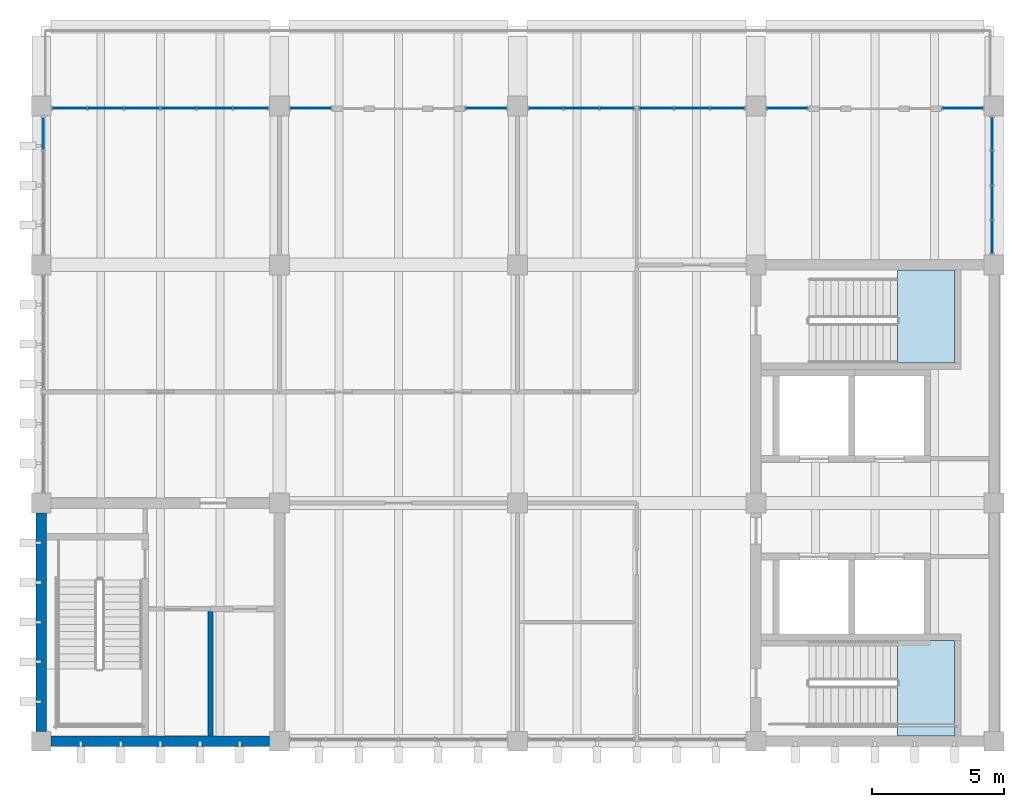
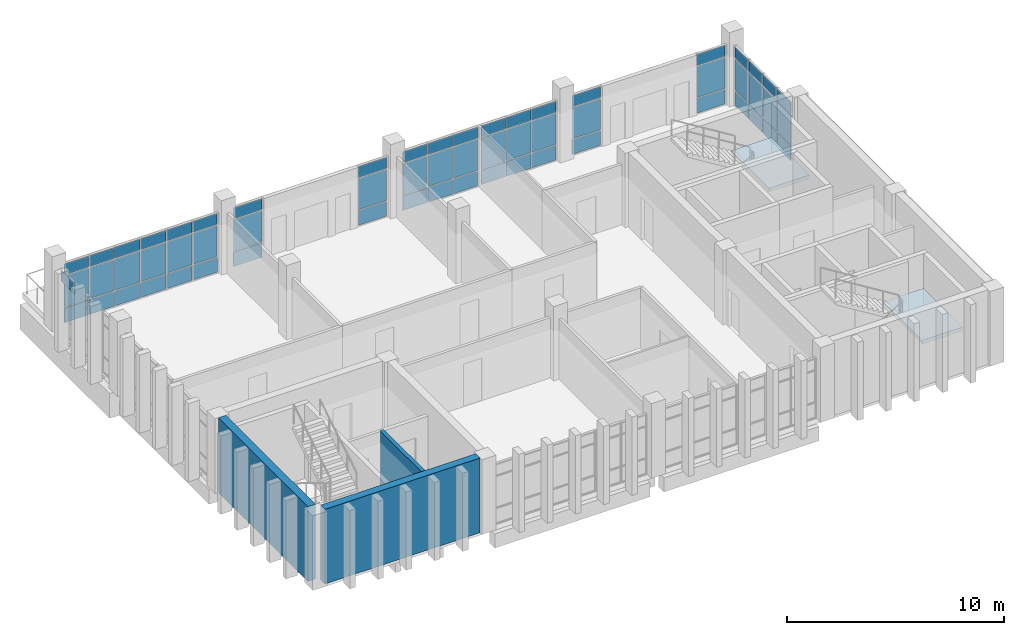
# One storey, part 8 of 15: 61 plates, 3 walls, 2 slabs, 11 elements without a shape of their own.
"""IFC4 building model written with IfcOpenShell, lengths in metres."""

from ifc_helpers import new_model, si_unit, direction, frame, frame_2d, origin, origin_2d, place, context, subcontext, project, spatial, polyline, rectangle, outline, extrude, material, layer, layer_set, type_object, element, aggregate, save


model = new_model("IFC4")

# Units and contexts
model_context = context("Model", 3, precision=1e-05, world=origin(), true_north=direction((0.0, 1.0)))
body_context = subcontext(model_context, "Body", "Model", "MODEL_VIEW")
ifc_project = project(units=[si_unit("LENGTHUNIT", "METRE"), si_unit("AREAUNIT", "SQUARE_METRE"), si_unit("VOLUMEUNIT", "CUBIC_METRE"), si_unit("PLANEANGLEUNIT", "RADIAN"), si_unit("MASSUNIT", "GRAM", prefix="KILO")], contexts=[model_context])

# Site, building, storey
site_placement = place(None, origin())
site = spatial("IfcSite", under=ifc_project, at=site_placement, CompositionType="ELEMENT")
building_placement = place(site_placement, origin())
building = spatial("IfcBuilding", under=site, at=building_placement, Name="Merrow Basin Faculty of Sciences", CompositionType="ELEMENT")
storey_placement = place(building_placement, frame((0.0, 0.0, 31.5)))
storey = spatial("IfcBuildingStorey", under=building, at=storey_placement, Name="L07", CompositionType="ELEMENT", Elevation=31.5)

# Curtain wall, plates
ifc_material_1 = material(Name="Aluminium alloy 6063", Category="aluminium")
curtain_wall_type = type_object("IfcCurtainWallType", Name="Unitised curtain wall 160", PredefinedType="NOTDEFINED", material=ifc_material_1)
curtain_wall_1_placement = place(storey_placement, origin())
curtain_wall_1 = element("IfcCurtainWall", 1, at=curtain_wall_1_placement, inside=storey, type_object=curtain_wall_type, Name="N curtain wall L07 1", PredefinedType="NOTDEFINED")
ifc_material_2 = material(Name="Insulated aluminium spandrel panel", Category="aluminium")
ifc_layer_1 = layer(ifc_material_2, 0.052001953125)
ifc_layer_set_1 = layer_set([ifc_layer_1], Name="Insulated spandrel panel 52")
plate_type_1 = type_object("IfcPlateType", Name="Insulated spandrel panel 52", PredefinedType="CURTAIN_PANEL", material=ifc_layer_set_1)
plate_1_placement = place(storey_placement, frame((19.077392578125, 165.919921875, 0.06005859375), z_axis=(0.0, 0.0, 1.0), x_axis=(1.0, 0.0, 0.0)))
plate_1 = element("IfcPlate", 2, at=plate_1_placement, type_object=plate_type_1, Name="CW3 panel 1.1", PredefinedType="CURTAIN_PANEL", context=body_context, shape_type="SweptSolid", body=[
    extrude(rectangle(XDim=1.284912109375, YDim=0.052001953125, at=origin_2d()), origin(), (0.0, 0.0, 1.0), 0.81005859375),
])
plate_2_placement = place(storey_placement, frame((20.4375, 165.919921875, 0.06005859375), z_axis=(0.0, 0.0, 1.0), x_axis=(1.0, 0.0, 0.0)))
plate_2 = element("IfcPlate", 3, at=plate_2_placement, type_object=plate_type_1, Name="CW3 panel 2.1", PredefinedType="CURTAIN_PANEL", context=body_context, shape_type="SweptSolid", body=[
    extrude(rectangle(XDim=1.31494140625, YDim=0.052001953125, at=origin_2d()), origin(), (0.0, 0.0, 1.0), 0.81005859375),
])
plate_3_placement = place(storey_placement, frame((21.8125, 165.919921875, 0.06005859375), z_axis=(0.0, 0.0, 1.0), x_axis=(1.0, 0.0, 0.0)))
plate_3 = element("IfcPlate", 4, at=plate_3_placement, type_object=plate_type_1, Name="CW3 panel 3.1", PredefinedType="CURTAIN_PANEL", context=body_context, shape_type="SweptSolid", body=[
    extrude(rectangle(XDim=1.31494140625, YDim=0.052001953125, at=origin_2d()), origin(), (0.0, 0.0, 1.0), 0.81005859375),
])
plate_4_placement = place(storey_placement, frame((23.1875, 165.919921875, 0.06005859375), z_axis=(0.0, 0.0, 1.0), x_axis=(1.0, 0.0, 0.0)))
plate_4 = element("IfcPlate", 5, at=plate_4_placement, type_object=plate_type_1, Name="CW3 panel 4.1", PredefinedType="CURTAIN_PANEL", context=body_context, shape_type="SweptSolid", body=[
    extrude(rectangle(XDim=1.31494140625, YDim=0.052001953125, at=origin_2d()), origin(), (0.0, 0.0, 1.0), 0.81005859375),
])
plate_5_placement = place(storey_placement, frame((24.5625, 165.919921875, 0.06005859375), z_axis=(0.0, 0.0, 1.0), x_axis=(1.0, 0.0, 0.0)))
plate_5 = element("IfcPlate", 6, at=plate_5_placement, type_object=plate_type_1, Name="CW3 panel 5.1", PredefinedType="CURTAIN_PANEL", context=body_context, shape_type="SweptSolid", body=[
    extrude(rectangle(XDim=1.31494140625, YDim=0.052001953125, at=origin_2d()), origin(), (0.0, 0.0, 1.0), 0.81005859375),
])
plate_6_placement = place(storey_placement, frame((25.922607421875, 165.919921875, 0.06005859375), z_axis=(0.0, 0.0, 1.0), x_axis=(1.0, 0.0, 0.0)))
plate_6 = element("IfcPlate", 7, at=plate_6_placement, type_object=plate_type_1, Name="CW3 panel 6.1", PredefinedType="CURTAIN_PANEL", context=body_context, shape_type="SweptSolid", body=[
    extrude(rectangle(XDim=1.284912109375, YDim=0.052001953125, at=origin_2d()), origin(), (0.0, 0.0, 1.0), 0.81005859375),
])

# Curtain wall, plate
curtain_wall_2_placement = place(storey_placement, origin())
curtain_wall_2 = element("IfcCurtainWall", 8, at=curtain_wall_2_placement, inside=storey, type_object=curtain_wall_type, Name="N curtain wall L07 2", PredefinedType="NOTDEFINED")
plate_7_placement = place(storey_placement, frame((28.1875, 165.919921875, 0.06005859375), z_axis=(0.0, 0.0, 1.0), x_axis=(1.0, 0.0, 0.0)))
plate_7 = element("IfcPlate", 9, at=plate_7_placement, type_object=plate_type_1, Name="CW3 panel 1.1", PredefinedType="CURTAIN_PANEL", context=body_context, shape_type="SweptSolid", body=[
    extrude(rectangle(XDim=1.5048828125, YDim=0.052001953125, at=origin_2d()), origin(), (0.0, 0.0, 1.0), 0.81005859375),
])

curtain_wall_3_placement = place(storey_placement, origin())
curtain_wall_3 = element("IfcCurtainWall", 10, at=curtain_wall_3_placement, inside=storey, type_object=curtain_wall_type, Name="N curtain wall L07 3", PredefinedType="NOTDEFINED")
plate_8_placement = place(storey_placement, frame((34.8125, 165.919921875, 0.06005859375), z_axis=(0.0, 0.0, 1.0), x_axis=(1.0, 0.0, 0.0)))
plate_8 = element("IfcPlate", 11, at=plate_8_placement, type_object=plate_type_1, Name="CW3 panel 1.1", PredefinedType="CURTAIN_PANEL", context=body_context, shape_type="SweptSolid", body=[
    extrude(rectangle(XDim=1.5048828125, YDim=0.052001953125, at=origin_2d()), origin(), (0.0, 0.0, 1.0), 0.81005859375),
])

# Curtain wall, plates
curtain_wall_4_placement = place(storey_placement, origin())
curtain_wall_4 = element("IfcCurtainWall", 12, at=curtain_wall_4_placement, inside=storey, type_object=curtain_wall_type, Name="N curtain wall L07 4", PredefinedType="NOTDEFINED")
plate_9_placement = place(storey_placement, frame((37.069091796875, 165.919921875, 0.06005859375), z_axis=(0.0, 0.0, 1.0), x_axis=(1.0, 0.0, 0.0)))
plate_9 = element("IfcPlate", 13, at=plate_9_placement, type_object=plate_type_1, Name="CW3 panel 1.1", PredefinedType="CURTAIN_PANEL", context=body_context, shape_type="SweptSolid", body=[
    extrude(rectangle(XDim=1.268310546875, YDim=0.052001953125, at=origin_2d()), origin(), (0.0, 0.0, 1.0), 0.81005859375),
])
plate_10_placement = place(storey_placement, frame((38.41259765625, 165.919921875, 0.06005859375), z_axis=(0.0, 0.0, 1.0), x_axis=(1.0, 0.0, 0.0)))
plate_10 = element("IfcPlate", 14, at=plate_10_placement, type_object=plate_type_1, Name="CW3 panel 2.1", PredefinedType="CURTAIN_PANEL", context=body_context, shape_type="SweptSolid", body=[
    extrude(rectangle(XDim=1.29833984375, YDim=0.052001953125, at=origin_2d()), origin(), (0.0, 0.0, 1.0), 0.81005859375),
])
plate_11_placement = place(storey_placement, frame((39.755859375, 165.919921875, 0.06005859375), z_axis=(0.0, 0.0, 1.0), x_axis=(1.0, 0.0, 0.0)))
plate_11 = element("IfcPlate", 15, at=plate_11_placement, type_object=plate_type_1, Name="CW3 panel 3.1", PredefinedType="CURTAIN_PANEL", context=body_context, shape_type="SweptSolid", body=[
    extrude(rectangle(XDim=1.268310546875, YDim=0.052001953125, at=origin_2d()), origin(), (0.0, 0.0, 1.0), 0.81005859375),
])

curtain_wall_5_placement = place(storey_placement, origin())
curtain_wall_5 = element("IfcCurtainWall", 16, at=curtain_wall_5_placement, inside=storey, type_object=curtain_wall_type, Name="N curtain wall L07 5", PredefinedType="NOTDEFINED")
plate_12_placement = place(storey_placement, frame((41.244140625, 165.919921875, 0.06005859375), z_axis=(0.0, 0.0, 1.0), x_axis=(1.0, 0.0, 0.0)))
plate_12 = element("IfcPlate", 17, at=plate_12_placement, type_object=plate_type_1, Name="CW3 panel 1.1", PredefinedType="CURTAIN_PANEL", context=body_context, shape_type="SweptSolid", body=[
    extrude(rectangle(XDim=1.268310546875, YDim=0.052001953125, at=origin_2d()), origin(), (0.0, 0.0, 1.0), 0.81005859375),
])
plate_13_placement = place(storey_placement, frame((42.58740234375, 165.919921875, 0.06005859375), z_axis=(0.0, 0.0, 1.0), x_axis=(1.0, 0.0, 0.0)))
plate_13 = element("IfcPlate", 18, at=plate_13_placement, type_object=plate_type_1, Name="CW3 panel 2.1", PredefinedType="CURTAIN_PANEL", context=body_context, shape_type="SweptSolid", body=[
    extrude(rectangle(XDim=1.29833984375, YDim=0.052001953125, at=origin_2d()), origin(), (0.0, 0.0, 1.0), 0.81005859375),
])
plate_14_placement = place(storey_placement, frame((43.930908203125, 165.919921875, 0.06005859375), z_axis=(0.0, 0.0, 1.0), x_axis=(1.0, 0.0, 0.0)))
plate_14 = element("IfcPlate", 19, at=plate_14_placement, type_object=plate_type_1, Name="CW3 panel 3.1", PredefinedType="CURTAIN_PANEL", context=body_context, shape_type="SweptSolid", body=[
    extrude(rectangle(XDim=1.268310546875, YDim=0.052001953125, at=origin_2d()), origin(), (0.0, 0.0, 1.0), 0.81005859375),
])

# Curtain wall, plate
curtain_wall_6_placement = place(storey_placement, origin())
curtain_wall_6 = element("IfcCurtainWall", 20, at=curtain_wall_6_placement, inside=storey, type_object=curtain_wall_type, Name="N curtain wall L07 6", PredefinedType="NOTDEFINED")
plate_15_placement = place(storey_placement, frame((46.1875, 165.919921875, 0.06005859375), z_axis=(0.0, 0.0, 1.0), x_axis=(1.0, 0.0, 0.0)))
plate_15 = element("IfcPlate", 21, at=plate_15_placement, type_object=plate_type_1, Name="CW3 panel 1.1", PredefinedType="CURTAIN_PANEL", context=body_context, shape_type="SweptSolid", body=[
    extrude(rectangle(XDim=1.5048828125, YDim=0.052001953125, at=origin_2d()), origin(), (0.0, 0.0, 1.0), 0.81005859375),
])

curtain_wall_7_placement = place(storey_placement, origin())
curtain_wall_7 = element("IfcCurtainWall", 22, at=curtain_wall_7_placement, inside=storey, type_object=curtain_wall_type, Name="N curtain wall L07 7", PredefinedType="NOTDEFINED")
plate_16_placement = place(storey_placement, frame((52.8125, 165.919921875, 0.06005859375), z_axis=(0.0, 0.0, 1.0), x_axis=(1.0, 0.0, 0.0)))
plate_16 = element("IfcPlate", 23, at=plate_16_placement, type_object=plate_type_1, Name="CW3 panel 1.1", PredefinedType="CURTAIN_PANEL", context=body_context, shape_type="SweptSolid", body=[
    extrude(rectangle(XDim=1.5048828125, YDim=0.052001953125, at=origin_2d()), origin(), (0.0, 0.0, 1.0), 0.81005859375),
])

# Curtain wall, plates
curtain_wall_8_placement = place(storey_placement, origin())
curtain_wall_8 = element("IfcCurtainWall", 24, at=curtain_wall_8_placement, inside=storey, type_object=curtain_wall_type, Name="E curtain wall L07 1", PredefinedType="NOTDEFINED")
plate_17_placement = place(storey_placement, frame((53.919921875, 161.046142578125, 0.06005859375), z_axis=(0.0, 0.0, 1.0), x_axis=(0.0, 1.0, 0.0)))
plate_17 = element("IfcPlate", 25, at=plate_17_placement, type_object=plate_type_1, Name="CW3 panel 1.1", PredefinedType="CURTAIN_PANEL", context=body_context, shape_type="SweptSolid", body=[
    extrude(rectangle(XDim=1.222412109375, YDim=0.052001953125, at=origin_2d()), origin(), (0.0, 0.0, 1.0), 0.81005859375),
])
plate_18_placement = place(storey_placement, frame((53.919921875, 162.34375, 0.06005859375), z_axis=(0.0, 0.0, 1.0), x_axis=(0.0, 1.0, 0.0)))
plate_18 = element("IfcPlate", 26, at=plate_18_placement, type_object=plate_type_1, Name="CW3 panel 2.1", PredefinedType="CURTAIN_PANEL", context=body_context, shape_type="SweptSolid", body=[
    extrude(rectangle(XDim=1.25244140625, YDim=0.052001953125, at=origin_2d()), origin(), (0.0, 0.0, 1.0), 0.81005859375),
])
plate_19_placement = place(storey_placement, frame((53.919921875, 163.65625, 0.06005859375), z_axis=(0.0, 0.0, 1.0), x_axis=(0.0, 1.0, 0.0)))
plate_19 = element("IfcPlate", 27, at=plate_19_placement, type_object=plate_type_1, Name="CW3 panel 3.1", PredefinedType="CURTAIN_PANEL", context=body_context, shape_type="SweptSolid", body=[
    extrude(rectangle(XDim=1.25244140625, YDim=0.052001953125, at=origin_2d()), origin(), (0.0, 0.0, 1.0), 0.81005859375),
])
plate_20_placement = place(storey_placement, frame((53.919921875, 164.953857421875, 0.06005859375), z_axis=(0.0, 0.0, 1.0), x_axis=(0.0, 1.0, 0.0)))
plate_20 = element("IfcPlate", 28, at=plate_20_placement, type_object=plate_type_1, Name="CW3 panel 4.1", PredefinedType="CURTAIN_PANEL", context=body_context, shape_type="SweptSolid", body=[
    extrude(rectangle(XDim=1.222412109375, YDim=0.052001953125, at=origin_2d()), origin(), (0.0, 0.0, 1.0), 0.81005859375),
])

# Curtain wall, plate
curtain_wall_9_placement = place(storey_placement, origin())
curtain_wall_9 = element("IfcCurtainWall", 29, at=curtain_wall_9_placement, inside=storey, type_object=curtain_wall_type, Name="W curtain wall L07 3", PredefinedType="NOTDEFINED")
ifc_material_3 = material(Name="Low-E double glazing", Category="glass")
ifc_layer_2 = layer(ifc_material_3, 0.028076171875)
ifc_layer_set_2 = layer_set([ifc_layer_2], Name="Low-E double glazed panel 28")
plate_type_2 = type_object("IfcPlateType", Name="Low-E double glazed panel 28", PredefinedType="CURTAIN_PANEL", material=ifc_layer_set_2)
plate_21_placement = place(storey_placement, frame((18.080078125, 164.953857421875, 2.72998046875), z_axis=(0.0, 0.0, 1.0), x_axis=(0.0, 1.0, 0.0)))
plate_21 = element("IfcPlate", 30, at=plate_21_placement, type_object=plate_type_2, Name="CW3 panel 4.3", PredefinedType="CURTAIN_PANEL", context=body_context, shape_type="SweptSolid", body=[
    extrude(rectangle(XDim=1.222412109375, YDim=0.028076171875, at=origin_2d()), origin(), (0.0, 0.0, 1.0), 0.610107421875),
])
aggregate(curtain_wall_9, [plate_21])

# Plate
plate_22_placement = place(storey_placement, frame((19.077392578125, 165.919921875, 0.93017578125), z_axis=(0.0, 0.0, 1.0), x_axis=(1.0, 0.0, 0.0)))
plate_22 = element("IfcPlate", 31, at=plate_22_placement, type_object=plate_type_2, Name="CW3 panel 1.2", PredefinedType="CURTAIN_PANEL", context=body_context, shape_type="SweptSolid", body=[
    extrude(rectangle(XDim=1.284912109375, YDim=0.028076171875, at=origin_2d()), origin(), (0.0, 0.0, 1.0), 1.739990234375),
])

plate_23_placement = place(storey_placement, frame((19.077392578125, 165.919921875, 2.72998046875), z_axis=(0.0, 0.0, 1.0), x_axis=(1.0, 0.0, 0.0)))
plate_23 = element("IfcPlate", 32, at=plate_23_placement, type_object=plate_type_2, Name="CW3 panel 1.3", PredefinedType="CURTAIN_PANEL", context=body_context, shape_type="SweptSolid", body=[
    extrude(rectangle(XDim=1.284912109375, YDim=0.028076171875, at=origin_2d()), origin(), (0.0, 0.0, 1.0), 0.610107421875),
])

plate_24_placement = place(storey_placement, frame((20.4375, 165.919921875, 0.93017578125), z_axis=(0.0, 0.0, 1.0), x_axis=(1.0, 0.0, 0.0)))
plate_24 = element("IfcPlate", 33, at=plate_24_placement, type_object=plate_type_2, Name="CW3 panel 2.2", PredefinedType="CURTAIN_PANEL", context=body_context, shape_type="SweptSolid", body=[
    extrude(rectangle(XDim=1.31494140625, YDim=0.028076171875, at=origin_2d()), origin(), (0.0, 0.0, 1.0), 1.739990234375),
])

plate_25_placement = place(storey_placement, frame((20.4375, 165.919921875, 2.72998046875), z_axis=(0.0, 0.0, 1.0), x_axis=(1.0, 0.0, 0.0)))
plate_25 = element("IfcPlate", 34, at=plate_25_placement, type_object=plate_type_2, Name="CW3 panel 2.3", PredefinedType="CURTAIN_PANEL", context=body_context, shape_type="SweptSolid", body=[
    extrude(rectangle(XDim=1.31494140625, YDim=0.028076171875, at=origin_2d()), origin(), (0.0, 0.0, 1.0), 0.610107421875),
])

plate_26_placement = place(storey_placement, frame((21.8125, 165.919921875, 0.93017578125), z_axis=(0.0, 0.0, 1.0), x_axis=(1.0, 0.0, 0.0)))
plate_26 = element("IfcPlate", 35, at=plate_26_placement, type_object=plate_type_2, Name="CW3 panel 3.2", PredefinedType="CURTAIN_PANEL", context=body_context, shape_type="SweptSolid", body=[
    extrude(rectangle(XDim=1.31494140625, YDim=0.028076171875, at=origin_2d()), origin(), (0.0, 0.0, 1.0), 1.739990234375),
])

plate_27_placement = place(storey_placement, frame((21.8125, 165.919921875, 2.72998046875), z_axis=(0.0, 0.0, 1.0), x_axis=(1.0, 0.0, 0.0)))
plate_27 = element("IfcPlate", 36, at=plate_27_placement, type_object=plate_type_2, Name="CW3 panel 3.3", PredefinedType="CURTAIN_PANEL", context=body_context, shape_type="SweptSolid", body=[
    extrude(rectangle(XDim=1.31494140625, YDim=0.028076171875, at=origin_2d()), origin(), (0.0, 0.0, 1.0), 0.610107421875),
])

plate_28_placement = place(storey_placement, frame((23.1875, 165.919921875, 0.93017578125), z_axis=(0.0, 0.0, 1.0), x_axis=(1.0, 0.0, 0.0)))
plate_28 = element("IfcPlate", 37, at=plate_28_placement, type_object=plate_type_2, Name="CW3 panel 4.2", PredefinedType="CURTAIN_PANEL", context=body_context, shape_type="SweptSolid", body=[
    extrude(rectangle(XDim=1.31494140625, YDim=0.028076171875, at=origin_2d()), origin(), (0.0, 0.0, 1.0), 1.739990234375),
])

plate_29_placement = place(storey_placement, frame((23.1875, 165.919921875, 2.72998046875), z_axis=(0.0, 0.0, 1.0), x_axis=(1.0, 0.0, 0.0)))
plate_29 = element("IfcPlate", 38, at=plate_29_placement, type_object=plate_type_2, Name="CW3 panel 4.3", PredefinedType="CURTAIN_PANEL", context=body_context, shape_type="SweptSolid", body=[
    extrude(rectangle(XDim=1.31494140625, YDim=0.028076171875, at=origin_2d()), origin(), (0.0, 0.0, 1.0), 0.610107421875),
])

plate_30_placement = place(storey_placement, frame((24.5625, 165.919921875, 0.93017578125), z_axis=(0.0, 0.0, 1.0), x_axis=(1.0, 0.0, 0.0)))
plate_30 = element("IfcPlate", 39, at=plate_30_placement, type_object=plate_type_2, Name="CW3 panel 5.2", PredefinedType="CURTAIN_PANEL", context=body_context, shape_type="SweptSolid", body=[
    extrude(rectangle(XDim=1.31494140625, YDim=0.028076171875, at=origin_2d()), origin(), (0.0, 0.0, 1.0), 1.739990234375),
])

plate_31_placement = place(storey_placement, frame((24.5625, 165.919921875, 2.72998046875), z_axis=(0.0, 0.0, 1.0), x_axis=(1.0, 0.0, 0.0)))
plate_31 = element("IfcPlate", 40, at=plate_31_placement, type_object=plate_type_2, Name="CW3 panel 5.3", PredefinedType="CURTAIN_PANEL", context=body_context, shape_type="SweptSolid", body=[
    extrude(rectangle(XDim=1.31494140625, YDim=0.028076171875, at=origin_2d()), origin(), (0.0, 0.0, 1.0), 0.610107421875),
])

plate_32_placement = place(storey_placement, frame((25.922607421875, 165.919921875, 0.93017578125), z_axis=(0.0, 0.0, 1.0), x_axis=(1.0, 0.0, 0.0)))
plate_32 = element("IfcPlate", 41, at=plate_32_placement, type_object=plate_type_2, Name="CW3 panel 6.2", PredefinedType="CURTAIN_PANEL", context=body_context, shape_type="SweptSolid", body=[
    extrude(rectangle(XDim=1.284912109375, YDim=0.028076171875, at=origin_2d()), origin(), (0.0, 0.0, 1.0), 1.739990234375),
])

plate_33_placement = place(storey_placement, frame((25.922607421875, 165.919921875, 2.72998046875), z_axis=(0.0, 0.0, 1.0), x_axis=(1.0, 0.0, 0.0)))
plate_33 = element("IfcPlate", 42, at=plate_33_placement, type_object=plate_type_2, Name="CW3 panel 6.3", PredefinedType="CURTAIN_PANEL", context=body_context, shape_type="SweptSolid", body=[
    extrude(rectangle(XDim=1.284912109375, YDim=0.028076171875, at=origin_2d()), origin(), (0.0, 0.0, 1.0), 0.610107421875),
])

aggregate(curtain_wall_1, [plate_1, plate_22, plate_23, plate_2, plate_24, plate_25, plate_3, plate_26, plate_27, plate_4, plate_28, plate_29, plate_5, plate_30, plate_31, plate_6, plate_32, plate_33])

plate_34_placement = place(storey_placement, frame((28.1875, 165.919921875, 0.93017578125), z_axis=(0.0, 0.0, 1.0), x_axis=(1.0, 0.0, 0.0)))
plate_34 = element("IfcPlate", 43, at=plate_34_placement, type_object=plate_type_2, Name="CW3 panel 1.2", PredefinedType="CURTAIN_PANEL", context=body_context, shape_type="SweptSolid", body=[
    extrude(rectangle(XDim=1.5048828125, YDim=0.028076171875, at=origin_2d()), origin(), (0.0, 0.0, 1.0), 1.739990234375),
])

plate_35_placement = place(storey_placement, frame((28.1875, 165.919921875, 2.72998046875), z_axis=(0.0, 0.0, 1.0), x_axis=(1.0, 0.0, 0.0)))
plate_35 = element("IfcPlate", 44, at=plate_35_placement, type_object=plate_type_2, Name="CW3 panel 1.3", PredefinedType="CURTAIN_PANEL", context=body_context, shape_type="SweptSolid", body=[
    extrude(rectangle(XDim=1.5048828125, YDim=0.028076171875, at=origin_2d()), origin(), (0.0, 0.0, 1.0), 0.610107421875),
])

aggregate(curtain_wall_2, [plate_7, plate_34, plate_35])

plate_36_placement = place(storey_placement, frame((34.8125, 165.919921875, 0.93017578125), z_axis=(0.0, 0.0, 1.0), x_axis=(1.0, 0.0, 0.0)))
plate_36 = element("IfcPlate", 45, at=plate_36_placement, type_object=plate_type_2, Name="CW3 panel 1.2", PredefinedType="CURTAIN_PANEL", context=body_context, shape_type="SweptSolid", body=[
    extrude(rectangle(XDim=1.5048828125, YDim=0.028076171875, at=origin_2d()), origin(), (0.0, 0.0, 1.0), 1.739990234375),
])

plate_37_placement = place(storey_placement, frame((34.8125, 165.919921875, 2.72998046875), z_axis=(0.0, 0.0, 1.0), x_axis=(1.0, 0.0, 0.0)))
plate_37 = element("IfcPlate", 46, at=plate_37_placement, type_object=plate_type_2, Name="CW3 panel 1.3", PredefinedType="CURTAIN_PANEL", context=body_context, shape_type="SweptSolid", body=[
    extrude(rectangle(XDim=1.5048828125, YDim=0.028076171875, at=origin_2d()), origin(), (0.0, 0.0, 1.0), 0.610107421875),
])

aggregate(curtain_wall_3, [plate_8, plate_36, plate_37])

plate_38_placement = place(storey_placement, frame((37.069091796875, 165.919921875, 0.93017578125), z_axis=(0.0, 0.0, 1.0), x_axis=(1.0, 0.0, 0.0)))
plate_38 = element("IfcPlate", 47, at=plate_38_placement, type_object=plate_type_2, Name="CW3 panel 1.2", PredefinedType="CURTAIN_PANEL", context=body_context, shape_type="SweptSolid", body=[
    extrude(rectangle(XDim=1.268310546875, YDim=0.028076171875, at=origin_2d()), origin(), (0.0, 0.0, 1.0), 1.739990234375),
])

plate_39_placement = place(storey_placement, frame((37.069091796875, 165.919921875, 2.72998046875), z_axis=(0.0, 0.0, 1.0), x_axis=(1.0, 0.0, 0.0)))
plate_39 = element("IfcPlate", 48, at=plate_39_placement, type_object=plate_type_2, Name="CW3 panel 1.3", PredefinedType="CURTAIN_PANEL", context=body_context, shape_type="SweptSolid", body=[
    extrude(rectangle(XDim=1.268310546875, YDim=0.028076171875, at=origin_2d()), origin(), (0.0, 0.0, 1.0), 0.610107421875),
])

plate_40_placement = place(storey_placement, frame((38.41259765625, 165.919921875, 0.93017578125), z_axis=(0.0, 0.0, 1.0), x_axis=(1.0, 0.0, 0.0)))
plate_40 = element("IfcPlate", 49, at=plate_40_placement, type_object=plate_type_2, Name="CW3 panel 2.2", PredefinedType="CURTAIN_PANEL", context=body_context, shape_type="SweptSolid", body=[
    extrude(rectangle(XDim=1.29833984375, YDim=0.028076171875, at=origin_2d()), origin(), (0.0, 0.0, 1.0), 1.739990234375),
])

plate_41_placement = place(storey_placement, frame((38.41259765625, 165.919921875, 2.72998046875), z_axis=(0.0, 0.0, 1.0), x_axis=(1.0, 0.0, 0.0)))
plate_41 = element("IfcPlate", 50, at=plate_41_placement, type_object=plate_type_2, Name="CW3 panel 2.3", PredefinedType="CURTAIN_PANEL", context=body_context, shape_type="SweptSolid", body=[
    extrude(rectangle(XDim=1.29833984375, YDim=0.028076171875, at=origin_2d()), origin(), (0.0, 0.0, 1.0), 0.610107421875),
])

plate_42_placement = place(storey_placement, frame((39.755859375, 165.919921875, 0.93017578125), z_axis=(0.0, 0.0, 1.0), x_axis=(1.0, 0.0, 0.0)))
plate_42 = element("IfcPlate", 51, at=plate_42_placement, type_object=plate_type_2, Name="CW3 panel 3.2", PredefinedType="CURTAIN_PANEL", context=body_context, shape_type="SweptSolid", body=[
    extrude(rectangle(XDim=1.268310546875, YDim=0.028076171875, at=origin_2d()), origin(), (0.0, 0.0, 1.0), 1.739990234375),
])

plate_43_placement = place(storey_placement, frame((39.755859375, 165.919921875, 2.72998046875), z_axis=(0.0, 0.0, 1.0), x_axis=(1.0, 0.0, 0.0)))
plate_43 = element("IfcPlate", 52, at=plate_43_placement, type_object=plate_type_2, Name="CW3 panel 3.3", PredefinedType="CURTAIN_PANEL", context=body_context, shape_type="SweptSolid", body=[
    extrude(rectangle(XDim=1.268310546875, YDim=0.028076171875, at=origin_2d()), origin(), (0.0, 0.0, 1.0), 0.610107421875),
])

aggregate(curtain_wall_4, [plate_9, plate_38, plate_39, plate_10, plate_40, plate_41, plate_11, plate_42, plate_43])

plate_44_placement = place(storey_placement, frame((41.244140625, 165.919921875, 0.93017578125), z_axis=(0.0, 0.0, 1.0), x_axis=(1.0, 0.0, 0.0)))
plate_44 = element("IfcPlate", 53, at=plate_44_placement, type_object=plate_type_2, Name="CW3 panel 1.2", PredefinedType="CURTAIN_PANEL", context=body_context, shape_type="SweptSolid", body=[
    extrude(rectangle(XDim=1.268310546875, YDim=0.028076171875, at=origin_2d()), origin(), (0.0, 0.0, 1.0), 1.739990234375),
])

plate_45_placement = place(storey_placement, frame((41.244140625, 165.919921875, 2.72998046875), z_axis=(0.0, 0.0, 1.0), x_axis=(1.0, 0.0, 0.0)))
plate_45 = element("IfcPlate", 54, at=plate_45_placement, type_object=plate_type_2, Name="CW3 panel 1.3", PredefinedType="CURTAIN_PANEL", context=body_context, shape_type="SweptSolid", body=[
    extrude(rectangle(XDim=1.268310546875, YDim=0.028076171875, at=origin_2d()), origin(), (0.0, 0.0, 1.0), 0.610107421875),
])

plate_46_placement = place(storey_placement, frame((42.58740234375, 165.919921875, 0.93017578125), z_axis=(0.0, 0.0, 1.0), x_axis=(1.0, 0.0, 0.0)))
plate_46 = element("IfcPlate", 55, at=plate_46_placement, type_object=plate_type_2, Name="CW3 panel 2.2", PredefinedType="CURTAIN_PANEL", context=body_context, shape_type="SweptSolid", body=[
    extrude(rectangle(XDim=1.29833984375, YDim=0.028076171875, at=origin_2d()), origin(), (0.0, 0.0, 1.0), 1.739990234375),
])

plate_47_placement = place(storey_placement, frame((42.58740234375, 165.919921875, 2.72998046875), z_axis=(0.0, 0.0, 1.0), x_axis=(1.0, 0.0, 0.0)))
plate_47 = element("IfcPlate", 56, at=plate_47_placement, type_object=plate_type_2, Name="CW3 panel 2.3", PredefinedType="CURTAIN_PANEL", context=body_context, shape_type="SweptSolid", body=[
    extrude(rectangle(XDim=1.29833984375, YDim=0.028076171875, at=origin_2d()), origin(), (0.0, 0.0, 1.0), 0.610107421875),
])

plate_48_placement = place(storey_placement, frame((43.930908203125, 165.919921875, 0.93017578125), z_axis=(0.0, 0.0, 1.0), x_axis=(1.0, 0.0, 0.0)))
plate_48 = element("IfcPlate", 57, at=plate_48_placement, type_object=plate_type_2, Name="CW3 panel 3.2", PredefinedType="CURTAIN_PANEL", context=body_context, shape_type="SweptSolid", body=[
    extrude(rectangle(XDim=1.268310546875, YDim=0.028076171875, at=origin_2d()), origin(), (0.0, 0.0, 1.0), 1.739990234375),
])

plate_49_placement = place(storey_placement, frame((43.930908203125, 165.919921875, 2.72998046875), z_axis=(0.0, 0.0, 1.0), x_axis=(1.0, 0.0, 0.0)))
plate_49 = element("IfcPlate", 58, at=plate_49_placement, type_object=plate_type_2, Name="CW3 panel 3.3", PredefinedType="CURTAIN_PANEL", context=body_context, shape_type="SweptSolid", body=[
    extrude(rectangle(XDim=1.268310546875, YDim=0.028076171875, at=origin_2d()), origin(), (0.0, 0.0, 1.0), 0.610107421875),
])

aggregate(curtain_wall_5, [plate_12, plate_44, plate_45, plate_13, plate_46, plate_47, plate_14, plate_48, plate_49])

plate_50_placement = place(storey_placement, frame((46.1875, 165.919921875, 0.93017578125), z_axis=(0.0, 0.0, 1.0), x_axis=(1.0, 0.0, 0.0)))
plate_50 = element("IfcPlate", 59, at=plate_50_placement, type_object=plate_type_2, Name="CW3 panel 1.2", PredefinedType="CURTAIN_PANEL", context=body_context, shape_type="SweptSolid", body=[
    extrude(rectangle(XDim=1.5048828125, YDim=0.028076171875, at=origin_2d()), origin(), (0.0, 0.0, 1.0), 1.739990234375),
])

plate_51_placement = place(storey_placement, frame((46.1875, 165.919921875, 2.72998046875), z_axis=(0.0, 0.0, 1.0), x_axis=(1.0, 0.0, 0.0)))
plate_51 = element("IfcPlate", 60, at=plate_51_placement, type_object=plate_type_2, Name="CW3 panel 1.3", PredefinedType="CURTAIN_PANEL", context=body_context, shape_type="SweptSolid", body=[
    extrude(rectangle(XDim=1.5048828125, YDim=0.028076171875, at=origin_2d()), origin(), (0.0, 0.0, 1.0), 0.610107421875),
])

aggregate(curtain_wall_6, [plate_15, plate_50, plate_51])

plate_52_placement = place(storey_placement, frame((52.8125, 165.919921875, 0.93017578125), z_axis=(0.0, 0.0, 1.0), x_axis=(1.0, 0.0, 0.0)))
plate_52 = element("IfcPlate", 61, at=plate_52_placement, type_object=plate_type_2, Name="CW3 panel 1.2", PredefinedType="CURTAIN_PANEL", context=body_context, shape_type="SweptSolid", body=[
    extrude(rectangle(XDim=1.5048828125, YDim=0.028076171875, at=origin_2d()), origin(), (0.0, 0.0, 1.0), 1.739990234375),
])

plate_53_placement = place(storey_placement, frame((52.8125, 165.919921875, 2.72998046875), z_axis=(0.0, 0.0, 1.0), x_axis=(1.0, 0.0, 0.0)))
plate_53 = element("IfcPlate", 62, at=plate_53_placement, type_object=plate_type_2, Name="CW3 panel 1.3", PredefinedType="CURTAIN_PANEL", context=body_context, shape_type="SweptSolid", body=[
    extrude(rectangle(XDim=1.5048828125, YDim=0.028076171875, at=origin_2d()), origin(), (0.0, 0.0, 1.0), 0.610107421875),
])

aggregate(curtain_wall_7, [plate_16, plate_52, plate_53])

plate_54_placement = place(storey_placement, frame((53.919921875, 161.046142578125, 0.93017578125), z_axis=(0.0, 0.0, 1.0), x_axis=(0.0, 1.0, 0.0)))
plate_54 = element("IfcPlate", 63, at=plate_54_placement, type_object=plate_type_2, Name="CW3 panel 1.2", PredefinedType="CURTAIN_PANEL", context=body_context, shape_type="SweptSolid", body=[
    extrude(rectangle(XDim=1.222412109375, YDim=0.028076171875, at=origin_2d()), origin(), (0.0, 0.0, 1.0), 1.739990234375),
])

plate_55_placement = place(storey_placement, frame((53.919921875, 161.046142578125, 2.72998046875), z_axis=(0.0, 0.0, 1.0), x_axis=(0.0, 1.0, 0.0)))
plate_55 = element("IfcPlate", 64, at=plate_55_placement, type_object=plate_type_2, Name="CW3 panel 1.3", PredefinedType="CURTAIN_PANEL", context=body_context, shape_type="SweptSolid", body=[
    extrude(rectangle(XDim=1.222412109375, YDim=0.028076171875, at=origin_2d()), origin(), (0.0, 0.0, 1.0), 0.610107421875),
])

plate_56_placement = place(storey_placement, frame((53.919921875, 162.34375, 0.93017578125), z_axis=(0.0, 0.0, 1.0), x_axis=(0.0, 1.0, 0.0)))
plate_56 = element("IfcPlate", 65, at=plate_56_placement, type_object=plate_type_2, Name="CW3 panel 2.2", PredefinedType="CURTAIN_PANEL", context=body_context, shape_type="SweptSolid", body=[
    extrude(rectangle(XDim=1.25244140625, YDim=0.028076171875, at=origin_2d()), origin(), (0.0, 0.0, 1.0), 1.739990234375),
])

plate_57_placement = place(storey_placement, frame((53.919921875, 162.34375, 2.72998046875), z_axis=(0.0, 0.0, 1.0), x_axis=(0.0, 1.0, 0.0)))
plate_57 = element("IfcPlate", 66, at=plate_57_placement, type_object=plate_type_2, Name="CW3 panel 2.3", PredefinedType="CURTAIN_PANEL", context=body_context, shape_type="SweptSolid", body=[
    extrude(rectangle(XDim=1.25244140625, YDim=0.028076171875, at=origin_2d()), origin(), (0.0, 0.0, 1.0), 0.610107421875),
])

plate_58_placement = place(storey_placement, frame((53.919921875, 163.65625, 0.93017578125), z_axis=(0.0, 0.0, 1.0), x_axis=(0.0, 1.0, 0.0)))
plate_58 = element("IfcPlate", 67, at=plate_58_placement, type_object=plate_type_2, Name="CW3 panel 3.2", PredefinedType="CURTAIN_PANEL", context=body_context, shape_type="SweptSolid", body=[
    extrude(rectangle(XDim=1.25244140625, YDim=0.028076171875, at=origin_2d()), origin(), (0.0, 0.0, 1.0), 1.739990234375),
])

plate_59_placement = place(storey_placement, frame((53.919921875, 163.65625, 2.72998046875), z_axis=(0.0, 0.0, 1.0), x_axis=(0.0, 1.0, 0.0)))
plate_59 = element("IfcPlate", 68, at=plate_59_placement, type_object=plate_type_2, Name="CW3 panel 3.3", PredefinedType="CURTAIN_PANEL", context=body_context, shape_type="SweptSolid", body=[
    extrude(rectangle(XDim=1.25244140625, YDim=0.028076171875, at=origin_2d()), origin(), (0.0, 0.0, 1.0), 0.610107421875),
])

plate_60_placement = place(storey_placement, frame((53.919921875, 164.953857421875, 0.93017578125), z_axis=(0.0, 0.0, 1.0), x_axis=(0.0, 1.0, 0.0)))
plate_60 = element("IfcPlate", 69, at=plate_60_placement, type_object=plate_type_2, Name="CW3 panel 4.2", PredefinedType="CURTAIN_PANEL", context=body_context, shape_type="SweptSolid", body=[
    extrude(rectangle(XDim=1.222412109375, YDim=0.028076171875, at=origin_2d()), origin(), (0.0, 0.0, 1.0), 1.739990234375),
])

plate_61_placement = place(storey_placement, frame((53.919921875, 164.953857421875, 2.72998046875), z_axis=(0.0, 0.0, 1.0), x_axis=(0.0, 1.0, 0.0)))
plate_61 = element("IfcPlate", 70, at=plate_61_placement, type_object=plate_type_2, Name="CW3 panel 4.3", PredefinedType="CURTAIN_PANEL", context=body_context, shape_type="SweptSolid", body=[
    extrude(rectangle(XDim=1.222412109375, YDim=0.028076171875, at=origin_2d()), origin(), (0.0, 0.0, 1.0), 0.610107421875),
])

aggregate(curtain_wall_8, [plate_17, plate_54, plate_55, plate_18, plate_56, plate_57, plate_19, plate_58, plate_59, plate_20, plate_60, plate_61])

# Stair, slab
ifc_material_4 = material(Name="Concrete C40/50", Category="concrete")
stair_type = type_object("IfcStairType", Name="Concrete dog-leg stair Concrete C40/50", PredefinedType="HALF_TURN_STAIR", material=ifc_material_4)
stair_1_placement = place(storey_placement, origin())
stair_1 = element("IfcStair", 71, at=stair_1_placement, inside=storey, type_object=stair_type, Name="L07 Exit stair S", PredefinedType="HALF_TURN_STAIR")
ifc_material_5 = material(Name="Concrete C40/50", Category="concrete")
ifc_layer_3 = layer(ifc_material_5, 0.199951171875)
ifc_layer_set_3 = layer_set([ifc_layer_3], Name="Stair landing 200 Concrete C40/50")
slab_type = type_object("IfcSlabType", Name="Stair landing 200 Concrete C40/50", PredefinedType="LANDING", material=ifc_layer_set_3)
slab_1_placement = place(storey_placement, frame((0.0, 0.0, 2.050048828125)))
slab_1 = element("IfcSlab", 72, at=slab_1_placement, type_object=slab_type, Name="ST-V5-S landing 1", PredefinedType="LANDING", context=body_context, shape_type="SweptSolid", body=[
    extrude(outline(polyline([(50.360107421875, 156.300048828125), (52.5, 156.300048828125), (52.5, 159.800048828125), (50.360107421875, 159.800048828125), (50.360107421875, 156.300048828125)])), origin(), (0.0, 0.0, 1.0), 0.199951171875),
])
aggregate(stair_1, [slab_1])

stair_2_placement = place(storey_placement, origin())
stair_2 = element("IfcStair", 73, at=stair_2_placement, inside=storey, type_object=stair_type, Name="L07 Exit stair N", PredefinedType="HALF_TURN_STAIR")
slab_2_placement = place(storey_placement, frame((0.0, 0.0, 2.050048828125)))
slab_2 = element("IfcSlab", 74, at=slab_2_placement, type_object=slab_type, Name="ST-V5-N landing 1", PredefinedType="LANDING", context=body_context, shape_type="SweptSolid", body=[
    extrude(outline(polyline([(50.360107421875, 142.199951171875), (52.5, 142.199951171875), (52.5, 145.800048828125), (50.360107421875, 145.800048828125), (50.360107421875, 142.199951171875)])), origin(), (0.0, 0.0, 1.0), 0.199951171875),
])
aggregate(stair_2, [slab_2])

# Walls
ifc_material_6 = material(Name="Fire-rated gypsum board")
ifc_layer_4 = layer(ifc_material_6, 0.199951171875)
ifc_layer_set_4 = layer_set([ifc_layer_4], Name="Riser lining 200 fire-rated board on steel studs")
wall_type_1 = type_object("IfcWallType", Name="Riser lining 200 fire-rated board on steel studs", PredefinedType="PARTITIONING", material=ifc_layer_set_4)
wall_placement = place(storey_placement, frame((24.39990234375, 142.199951171875, 0.0), z_axis=(0.0, 0.0, 1.0), x_axis=(0.0, 1.0, 0.0)))
element("IfcWall", 75, at=wall_placement, inside=storey, type_object=wall_type_1, Name="IW200 L07 001", PredefinedType="PARTITIONING", context=body_context, shape_type="SweptSolid", body=[
    extrude(rectangle(XDim=4.800048828125, YDim=0.199951171875, at=frame_2d((2.39990234375, 0.0))), origin(), (0.0, 0.0, 1.0), 3.39990234375),
])
ifc_material_7 = material(Name="Concrete C40/50", Category="concrete")
ifc_layer_5 = layer(ifc_material_7, 0.39990234375)
ifc_layer_set_5 = layer_set([ifc_layer_5], Name="Shear wall 400 Concrete C40/50")
wall_type_2 = type_object("IfcWallType", Name="Shear wall 400 Concrete C40/50", PredefinedType="SHEAR", material=ifc_layer_set_5)
for number, where, z_axis, x_axis, name in (
    (76, (18.375, 142.0, 0.0), (0.0, 0.0, 1.0), (1.0, 0.0, 0.0), "SW1 L07 025"),
    (77, (18.0, 142.375, 0.0), (0.0, 0.0, 1.0), (0.0, 1.0, 0.0), "SW1 L07 027"),
):
    element("IfcWall", number, at=place(storey_placement, frame(where, z_axis=z_axis, x_axis=x_axis)), inside=storey, type_object=wall_type_2, Name=name, PredefinedType="SHEAR", context=body_context, shape_type="SweptSolid", body=[
        extrude(rectangle(XDim=8.25, YDim=0.39990234375, at=frame_2d((4.125, 0.0))), origin(), (0.0, 0.0, 1.0), 4.199951171875),
    ])

save(model, "model.ifc")
